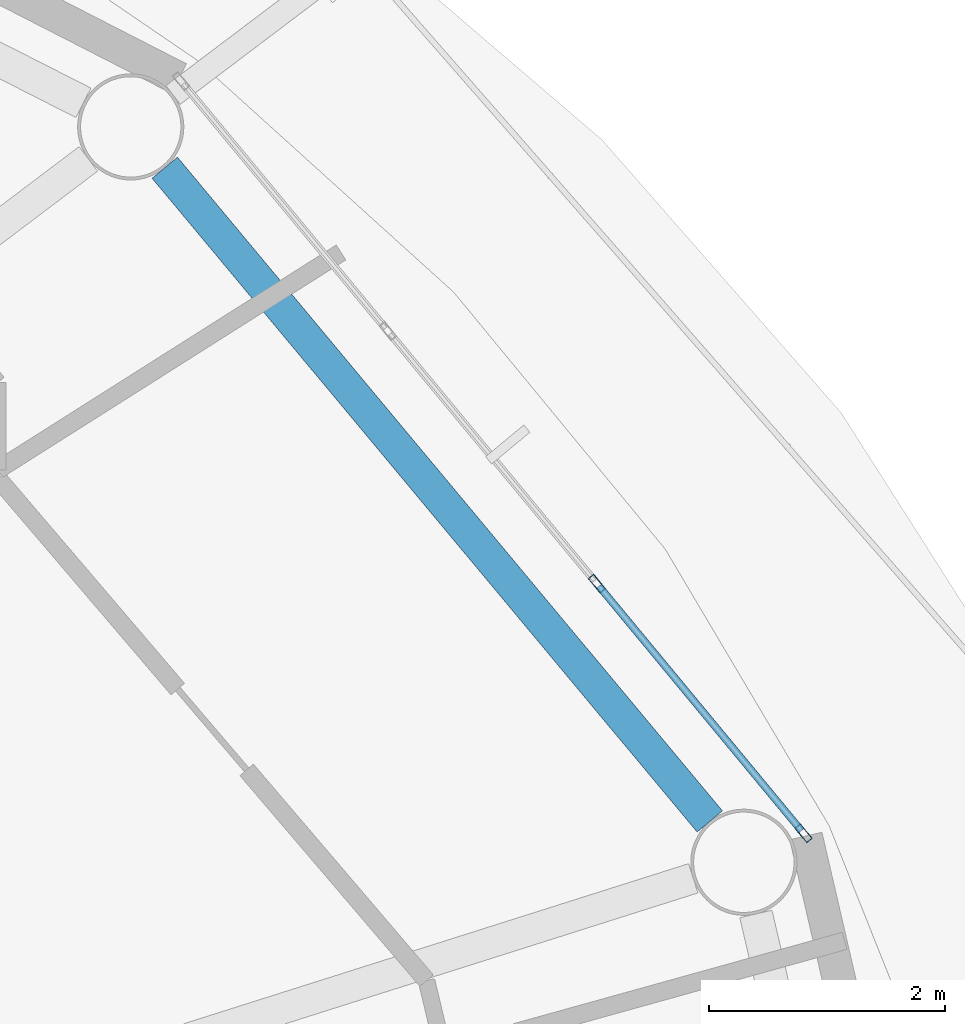
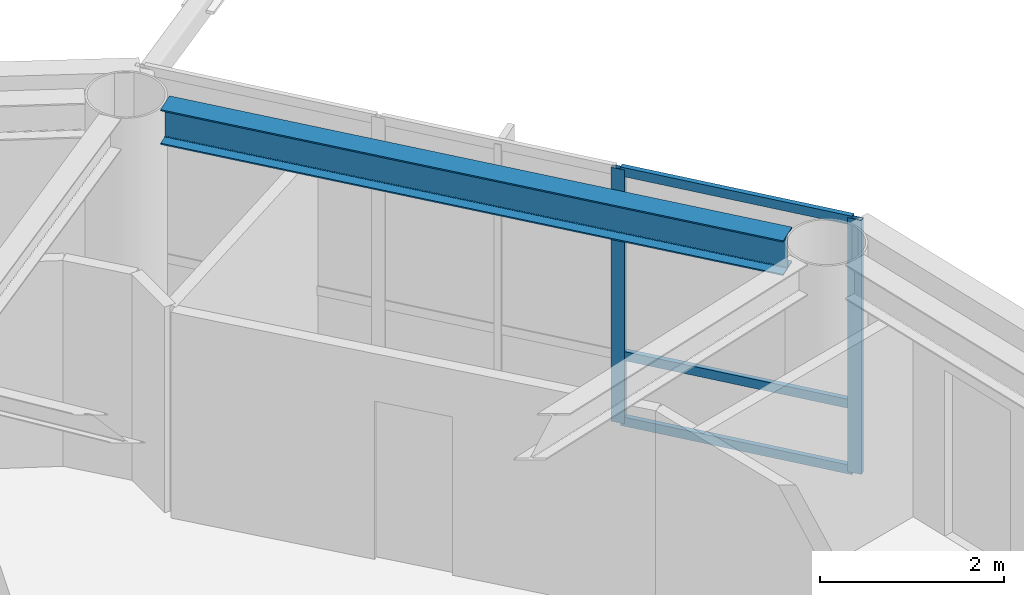
# One storey, part 7 of 22: 5 members, 1 beam, 1 element without a shape of its own.
"""IFC4 building model written with IfcOpenShell, lengths in metres."""

from ifc_helpers import new_model, si_unit, direction, frame, origin, origin_2d, place, context, subcontext, project, spatial, hollow_rectangle, i_section, extrude, material, layer, layer_set, material_profile, profile_set, type_object, element, aggregate, save


model = new_model("IFC4")

# Units and contexts
model_context = context("Model", 3, precision=1e-05, world=origin(), true_north=direction((0.0, 1.0)))
body_context = subcontext(model_context, "Body", "Model", "MODEL_VIEW")
ifc_project = project(units=[si_unit("LENGTHUNIT", "METRE"), si_unit("AREAUNIT", "SQUARE_METRE"), si_unit("VOLUMEUNIT", "CUBIC_METRE"), si_unit("PLANEANGLEUNIT", "RADIAN"), si_unit("MASSUNIT", "GRAM", prefix="KILO")], contexts=[model_context])

# Site, building, storey
site_placement = place(None, origin())
site = spatial("IfcSite", under=ifc_project, at=site_placement, CompositionType="ELEMENT")
building_placement = place(site_placement, origin())
building = spatial("IfcBuilding", under=site, at=building_placement, Name="Sarneth Arch Tower", CompositionType="ELEMENT")
storey_placement = place(building_placement, frame((0.0, 0.0, 305.39990234375)))
storey = spatial("IfcBuildingStorey", under=building, at=storey_placement, Name="L79", CompositionType="ELEMENT", Elevation=305.39990234375)

# Beam
ifc_material_1 = material(Name="Steel S355", Category="steel")
ifc_material_profile_1 = material_profile(ifc_material_1, i_section(OverallWidth=0.280029296875, OverallDepth=0.462890625, WebThickness=0.0107421875, FlangeThickness=0.017333984375, FilletRadius=0.01806640625, at=origin_2d()), Name="W460x113")
ifc_profile_set_1 = profile_set([ifc_material_profile_1], Name="Steel S355")
beam_type = type_object("IfcBeamType", Name="BM-RAD-460A", PredefinedType="BEAM", material=ifc_profile_set_1)
beam_placement = place(storey_placement, frame((70.880615234375, 49.693115234375, 3.138671875), z_axis=(-0.640390876881, 0.768049168222, 0.0), x_axis=(-0.768049168222, -0.640390876881, 0.0)))
element("IfcBeam", 1, at=beam_placement, inside=storey, type_object=beam_type, Name="L79 Perimeter spandrel beam 02", PredefinedType="BEAM", context=body_context, shape_type="SweptSolid", body=[
    extrude(i_section(OverallWidth=0.280029296875, OverallDepth=0.462890625, WebThickness=0.0107421875, FlangeThickness=0.017333984375, FilletRadius=0.01806640625, at=origin_2d()), origin(), (0.0, 0.0, 1.0), 7.2099609375),
])

# Curtain wall, members
ifc_material_2 = material(Name="Anodised aluminium Type AA25 and solar-control low-e laminated IGU", Category="aluminium")
ifc_layer = layer(ifc_material_2, 0.179931640625)
ifc_layer_set = layer_set([ifc_layer], Name="Anodised aluminium Type AA25 and solar-control low-e laminated IGU")
curtain_wall_type = type_object("IfcCurtainWallType", Name="CW-RES-HIGH", PredefinedType="NOTDEFINED", material=ifc_layer_set)
curtain_wall_placement = place(storey_placement, origin())
curtain_wall = element("IfcCurtainWall", 2, at=curtain_wall_placement, inside=storey, type_object=curtain_wall_type, Name="L79 Unitised curtain wall facet 02", PredefinedType="NOTDEFINED")
ifc_material_3 = material(Name="Anodised Aluminium 6063-T6", Category="aluminium")
ifc_material_profile_2 = material_profile(ifc_material_3, hollow_rectangle(XDim=0.06005859375, YDim=0.159912109375, WallThickness=0.00390625, at=origin_2d()), Name="AL-MULL-160x60x4")
ifc_profile_set_2 = profile_set([ifc_material_profile_2], Name="Anodised Aluminium 6063-T6")
member_type_1 = type_object("IfcMemberType", Name="CW-MULLION", PredefinedType="MULLION", material=ifc_profile_set_2)
member_1_placement = place(storey_placement, frame((71.674560546875, 49.592529296875, 0.0), z_axis=(0.0, 0.0, 1.0), x_axis=(-0.770359245933, -0.637610094184, 0.0)))
member_1 = element("IfcMember", 3, at=member_1_placement, type_object=member_type_1, Name="CW-SYS-6 mullion 1", PredefinedType="MULLION", context=body_context, shape_type="SweptSolid", body=[
    extrude(hollow_rectangle(XDim=0.06005859375, YDim=0.159912109375, WallThickness=0.00390625, at=origin_2d()), origin(), (0.0, 0.0, 1.0), 3.3701171875),
])
member_2_placement = place(storey_placement, frame((69.92333984375, 51.70849609375, 0.0), z_axis=(0.0, 0.0, 1.0), x_axis=(-0.770359245933, -0.637610094184, 0.0)))
member_2 = element("IfcMember", 4, at=member_2_placement, type_object=member_type_1, Name="CW-SYS-6 mullion 2", PredefinedType="MULLION", context=body_context, shape_type="SweptSolid", body=[
    extrude(hollow_rectangle(XDim=0.06005859375, YDim=0.159912109375, WallThickness=0.00390625, at=origin_2d()), origin(), (0.0, 0.0, 1.0), 3.3701171875),
])
ifc_material_4 = material(Name="Anodised Aluminium 6063-T6", Category="aluminium")
ifc_material_profile_3 = material_profile(ifc_material_4, hollow_rectangle(XDim=0.06005859375, YDim=0.1201171875, WallThickness=0.00390625, at=origin_2d()), Name="AL-TRAN-120x60x4")
ifc_profile_set_3 = profile_set([ifc_material_profile_3], Name="Anodised Aluminium 6063-T6")
member_type_2 = type_object("IfcMemberType", Name="CW-TRANSOM", PredefinedType="USERDEFINED", material=ifc_profile_set_3)
member_3_placement = place(storey_placement, frame((71.655517578125, 49.61572265625, 0.030029296875), z_axis=(-0.637651400067, 0.770325056059, 0.0), x_axis=(-0.770325056059, -0.637651400067, 0.0)))
member_3 = element("IfcMember", 5, at=member_3_placement, type_object=member_type_2, Name="CW-SYS-6 transom 1.1", ObjectType="TRANSOM", PredefinedType="USERDEFINED", context=body_context, shape_type="SweptSolid", body=[
    extrude(hollow_rectangle(XDim=0.06005859375, YDim=0.1201171875, WallThickness=0.00390625, at=origin_2d()), origin(), (0.0, 0.0, 1.0), 2.6865234375),
])
member_4_placement = place(storey_placement, frame((71.655517578125, 49.61572265625, 0.900146484375), z_axis=(-0.637651400067, 0.770325056059, 0.0), x_axis=(-0.770325056059, -0.637651400067, 0.0)))
member_4 = element("IfcMember", 6, at=member_4_placement, type_object=member_type_2, Name="CW-SYS-6 transom 1.2", ObjectType="TRANSOM", PredefinedType="USERDEFINED", context=body_context, shape_type="SweptSolid", body=[
    extrude(hollow_rectangle(XDim=0.06005859375, YDim=0.1201171875, WallThickness=0.00390625, at=origin_2d()), origin(), (0.0, 0.0, 1.0), 2.6865234375),
])
member_5_placement = place(storey_placement, frame((71.655517578125, 49.61572265625, 3.340087890625), z_axis=(-0.637651400067, 0.770325056059, 0.0), x_axis=(-0.770325056059, -0.637651400067, 0.0)))
member_5 = element("IfcMember", 7, at=member_5_placement, type_object=member_type_2, Name="CW-SYS-6 transom 1.3", ObjectType="TRANSOM", PredefinedType="USERDEFINED", context=body_context, shape_type="SweptSolid", body=[
    extrude(hollow_rectangle(XDim=0.06005859375, YDim=0.1201171875, WallThickness=0.00390625, at=origin_2d()), origin(), (0.0, 0.0, 1.0), 2.6865234375),
])
aggregate(curtain_wall, [member_1, member_2, member_3, member_4, member_5])

save(model, "model.ifc")
